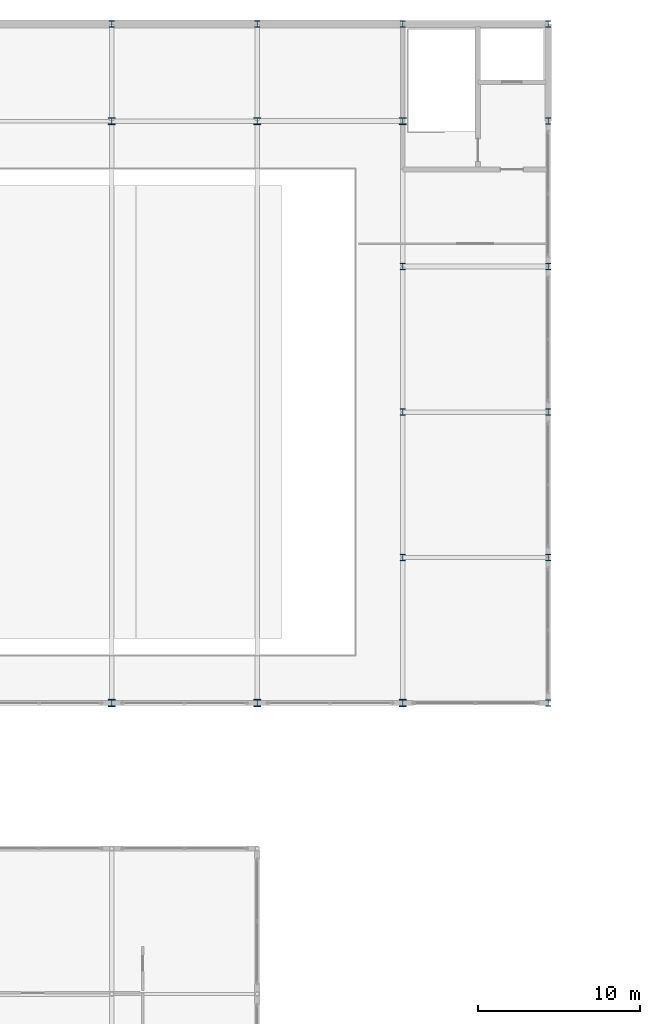
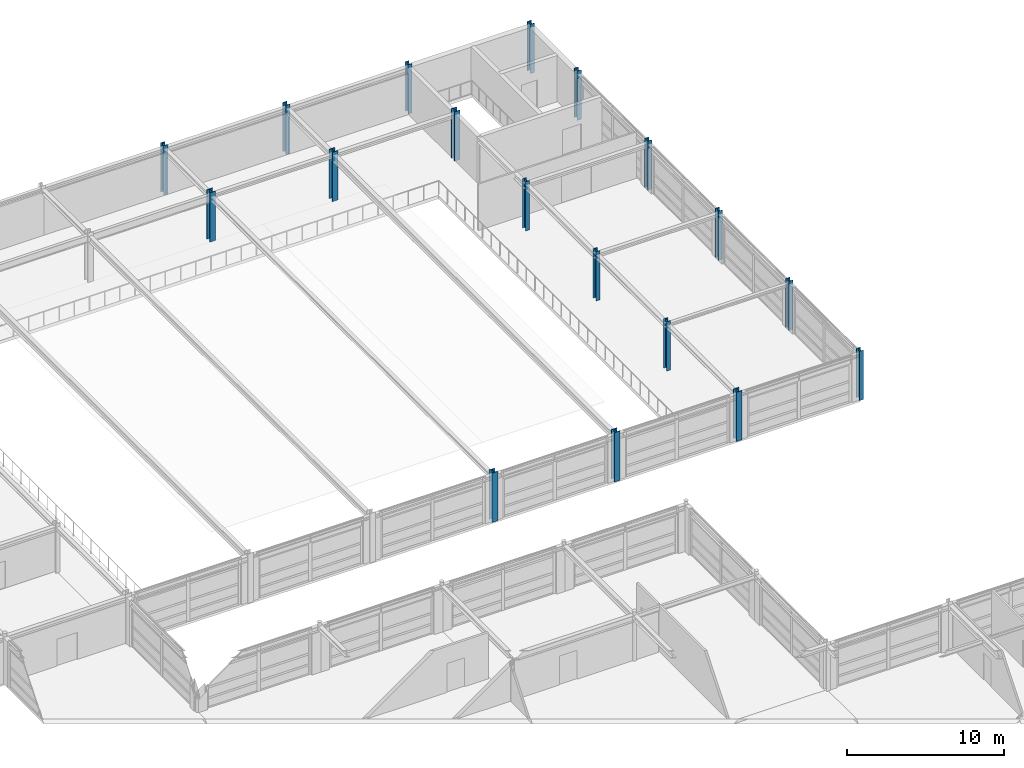
# One storey, part 18 of 79: 18 columns.
"""IFC4 building model written with IfcOpenShell, lengths in metres."""

from ifc_helpers import new_model, si_unit, direction, frame, origin, origin_2d, place, context, subcontext, project, spatial, i_section, extrude, material, material_profile, profile_set, type_object, element, save


model = new_model("IFC4")

# Units and contexts
model_context = context("Model", 3, precision=1e-05, world=origin(), true_north=direction((0.0, 1.0)))
body_context = subcontext(model_context, "Body", "Model", "MODEL_VIEW")
ifc_project = project(units=[si_unit("LENGTHUNIT", "METRE"), si_unit("AREAUNIT", "SQUARE_METRE"), si_unit("VOLUMEUNIT", "CUBIC_METRE"), si_unit("PLANEANGLEUNIT", "RADIAN"), si_unit("MASSUNIT", "GRAM", prefix="KILO")], contexts=[model_context])

# Site, building, storey
site_placement = place(None, origin())
site = spatial("IfcSite", under=ifc_project, at=site_placement, CompositionType="ELEMENT")
building_placement = place(site_placement, origin())
building = spatial("IfcBuilding", under=site, at=building_placement, Name="Palais des Congres Ocreval", CompositionType="ELEMENT")
storey_placement = place(building_placement, frame((0.0, 0.0, 4.320068359375)))
storey = spatial("IfcBuildingStorey", under=building, at=storey_placement, Name="L01", CompositionType="ELEMENT", Elevation=4.320068359375)

# Columns
ifc_material_1 = material(Name="Steel S460", Category="steel")
ifc_material_profile_1 = material_profile(ifc_material_1, i_section(OverallWidth=0.412109375, OverallDepth=0.43505859375, WebThickness=0.027099609375, FlangeThickness=0.0458984375, at=origin_2d()), Name="HD 400x463")
ifc_profile_set_1 = profile_set([ifc_material_profile_1], Name="Steel S460")
column_type_1 = type_object("IfcColumnType", Name="Column HD 400x463 Steel S460", PredefinedType="COLUMN", material=ifc_profile_set_1)
for number, where, z_axis, x_axis, name in (
    (1, (135.0, 72.0, 0.0), (0.0, 0.0, 1.0), (1.0, 0.0, 0.0), "Column C02 L01"),
    (2, (135.0, 108.0, 0.0), (0.0, 0.0, 1.0), (1.0, 0.0, 0.0), "Column C02 L01"),
    (3, (144.0, 72.0, 0.0), (0.0, 0.0, 1.0), (1.0, 0.0, 0.0), "Column C02 L01"),
    (4, (144.0, 108.0, 0.0), (0.0, 0.0, 1.0), (1.0, 0.0, 0.0), "Column C02 L01"),
    (5, (153.0, 72.0, 0.0), (0.0, 0.0, 1.0), (1.0, 0.0, 0.0), "Column C02 L01"),
    (6, (153.0, 108.0, 0.0), (0.0, 0.0, 1.0), (1.0, 0.0, 0.0), "Column C02 L01"),
):
    element("IfcColumn", number, at=place(storey_placement, frame(where, z_axis=z_axis, x_axis=x_axis)), inside=storey, type_object=column_type_1, Name=name, PredefinedType="COLUMN", context=body_context, shape_type="SweptSolid", body=[
        extrude(i_section(OverallWidth=0.412109375, OverallDepth=0.43505859375, WebThickness=0.027099609375, FlangeThickness=0.0458984375, at=origin_2d()), origin(), (0.0, 0.0, 1.0), 3.83984375),
    ])
ifc_material_2 = material(Name="Steel S355", Category="steel")
ifc_material_profile_2 = material_profile(ifc_material_2, i_section(OverallWidth=0.300048828125, OverallDepth=0.39990234375, WebThickness=0.013427734375, FlangeThickness=0.02392578125, at=origin_2d()), Name="HEB 400")
ifc_profile_set_2 = profile_set([ifc_material_profile_2], Name="Steel S355")
column_type_2 = type_object("IfcColumnType", Name="Column HEB 400 Steel S355", PredefinedType="COLUMN", material=ifc_profile_set_2)
for number, where, z_axis, x_axis, name in (
    (7, (135.0, 114.0, 0.0), (0.0, 0.0, 1.0), (1.0, 0.0, 0.0), "Column C10 L01"),
    (8, (144.0, 114.0, 0.0), (0.0, 0.0, 1.0), (1.0, 0.0, 0.0), "Column C10 L01"),
    (9, (153.0, 81.0, 0.0), (0.0, 0.0, 1.0), (1.0, 0.0, 0.0), "Column C10 L01"),
    (10, (153.0, 90.0, 0.0), (0.0, 0.0, 1.0), (1.0, 0.0, 0.0), "Column C10 L01"),
    (11, (153.0, 99.0, 0.0), (0.0, 0.0, 1.0), (1.0, 0.0, 0.0), "Column C10 L01"),
    (12, (153.0, 114.0, 0.0), (0.0, 0.0, 1.0), (1.0, 0.0, 0.0), "Column C10 L01"),
    (13, (162.0, 72.0, 0.0), (0.0, 0.0, 1.0), (1.0, 0.0, 0.0), "Column C10 L01"),
    (14, (162.0, 81.0, 0.0), (0.0, 0.0, 1.0), (1.0, 0.0, 0.0), "Column C10 L01"),
    (15, (162.0, 90.0, 0.0), (0.0, 0.0, 1.0), (1.0, 0.0, 0.0), "Column C10 L01"),
    (16, (162.0, 99.0, 0.0), (0.0, 0.0, 1.0), (1.0, 0.0, 0.0), "Column C10 L01"),
    (17, (162.0, 108.0, 0.0), (0.0, 0.0, 1.0), (1.0, 0.0, 0.0), "Column C10 L01"),
    (18, (162.0, 114.0, 0.0), (0.0, 0.0, 1.0), (1.0, 0.0, 0.0), "Column C10 L01"),
):
    element("IfcColumn", number, at=place(storey_placement, frame(where, z_axis=z_axis, x_axis=x_axis)), inside=storey, type_object=column_type_2, Name=name, PredefinedType="COLUMN", context=body_context, shape_type="SweptSolid", body=[
        extrude(i_section(OverallWidth=0.300048828125, OverallDepth=0.39990234375, WebThickness=0.013427734375, FlangeThickness=0.02392578125, at=origin_2d()), origin(), (0.0, 0.0, 1.0), 3.83984375),
    ])

save(model, "model.ifc")
